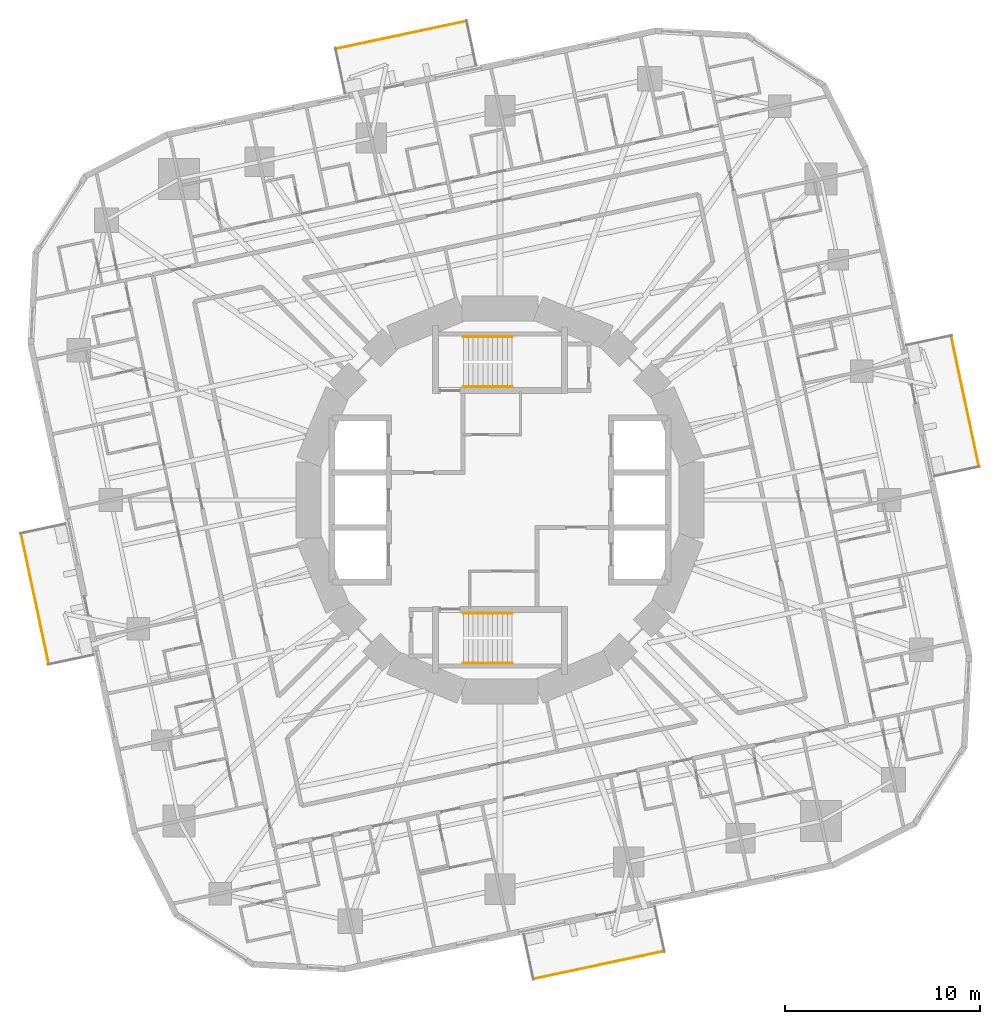
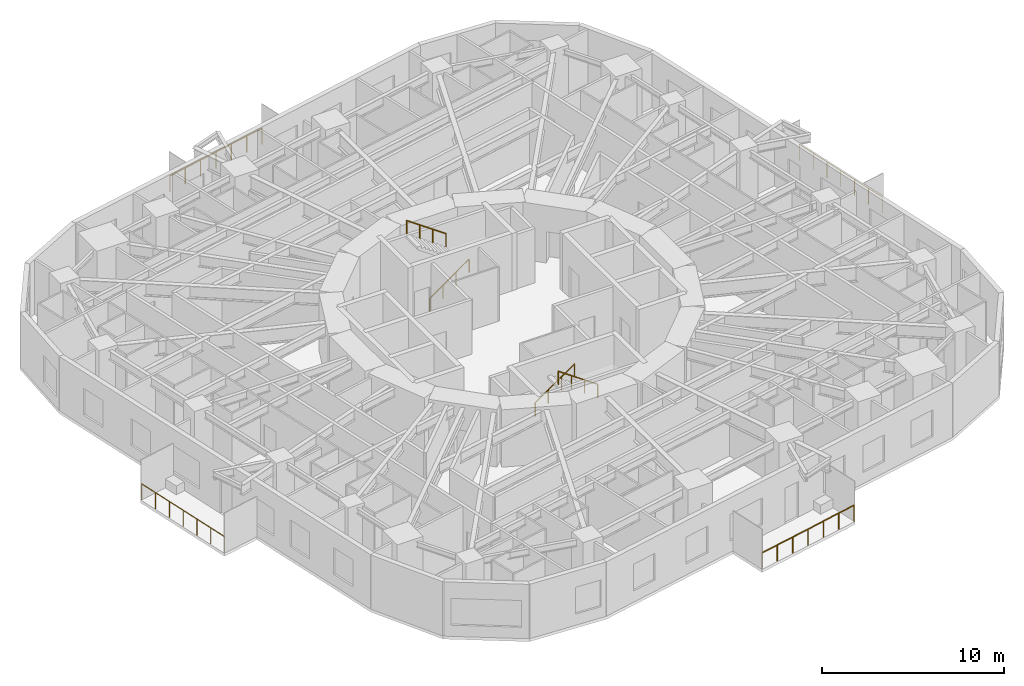
# One storey, part 13 of 14: 8 railings.
"""IFC4 building model written with IfcOpenShell, lengths in metres."""

from ifc_helpers import new_model, si_unit, direction, frame, origin, origin_2d, place, context, subcontext, project, spatial, circle, extrude, material, type_object, element, save


model = new_model("IFC4")

# Units and contexts
model_context = context("Model", 3, precision=1e-05, world=origin(), true_north=direction((0.0, 1.0)))
body_context = subcontext(model_context, "Body", "Model", "MODEL_VIEW")
ifc_project = project(units=[si_unit("LENGTHUNIT", "METRE"), si_unit("AREAUNIT", "SQUARE_METRE"), si_unit("VOLUMEUNIT", "CUBIC_METRE"), si_unit("PLANEANGLEUNIT", "RADIAN"), si_unit("MASSUNIT", "GRAM", prefix="KILO")], contexts=[model_context])

# Site, building, storey
site_placement = place(None, origin())
site = spatial("IfcSite", under=ifc_project, at=site_placement, CompositionType="ELEMENT")
building_placement = place(site_placement, origin())
building = spatial("IfcBuilding", under=site, at=building_placement, Name="Nakasero Lantern House", CompositionType="ELEMENT")
storey_placement = place(building_placement, frame((0.0, 0.0, 105.0)))
storey = spatial("IfcBuildingStorey", under=building, at=storey_placement, Name="L25", CompositionType="ELEMENT", Elevation=105.0)

# Railings
ifc_material_1 = material(Name="Aluminium 6063-T6", Category="aluminium")
railing_type_1 = type_object("IfcRailingType", Name="Balcony guard 1100", PredefinedType="BALUSTRADE", material=ifc_material_1)
railing_1_placement = place(storey_placement, frame((24.52685546875, 1.72705078125, 0.0)))
element("IfcRailing", 1, at=railing_1_placement, inside=storey, type_object=railing_type_1, Name="Balcony guard L25 BAL0", PredefinedType="BALUSTRADE", context=body_context, shape_type="SweptSolid", body=[
    extrude(circle(Radius=0.02392578125, at=origin_2d()), frame((0.0, 0.0, 1.076171875), z_axis=(-0.207907990246, 0.978148387307, 0.0), x_axis=(-0.978148387307, -0.207907990246, 0.0)), (0.0, 0.0, 1.0), 6.820068359375),
    extrude(circle(Radius=0.02099609375, at=origin_2d()), origin(), (0.0, 0.0, 1.0), 1.052001953125),
    extrude(circle(Radius=0.02099609375, at=origin_2d()), frame((-0.236328125, 1.11181640625, 0.0)), (0.0, 0.0, 1.0), 1.052001953125),
    extrude(circle(Radius=0.02099609375, at=origin_2d()), frame((-0.47265625, 2.2236328125, 0.0)), (0.0, 0.0, 1.0), 1.052001953125),
    extrude(circle(Radius=0.02099609375, at=origin_2d()), frame((-0.708984375, 3.33544921875, 0.0)), (0.0, 0.0, 1.0), 1.052001953125),
    extrude(circle(Radius=0.02099609375, at=origin_2d()), frame((-0.9453125, 4.447509765625, 0.0)), (0.0, 0.0, 1.0), 1.052001953125),
    extrude(circle(Radius=0.02099609375, at=origin_2d()), frame((-1.181640625, 5.559326171875, 0.0)), (0.0, 0.0, 1.0), 1.052001953125),
    extrude(circle(Radius=0.02099609375, at=origin_2d()), frame((-1.41796875, 6.671142578125, 0.0)), (0.0, 0.0, 1.0), 1.052001953125),
])
railing_2_placement = place(storey_placement, frame((-1.72705078125, 24.52685546875, 0.0)))
element("IfcRailing", 2, at=railing_2_placement, inside=storey, type_object=railing_type_1, Name="Balcony guard L25 BAL1", PredefinedType="BALUSTRADE", context=body_context, shape_type="SweptSolid", body=[
    extrude(circle(Radius=0.02392578125, at=origin_2d()), frame((0.0, 0.0, 1.076171875), z_axis=(-0.978148387307, -0.207907990246, 0.0), x_axis=(0.207907990246, -0.978148387307, 0.0)), (0.0, 0.0, 1.0), 6.820068359375),
    extrude(circle(Radius=0.02099609375, at=origin_2d()), origin(), (0.0, 0.0, 1.0), 1.052001953125),
    extrude(circle(Radius=0.02099609375, at=origin_2d()), frame((-1.11181640625, -0.236328125, 0.0)), (0.0, 0.0, 1.0), 1.052001953125),
    extrude(circle(Radius=0.02099609375, at=origin_2d()), frame((-2.2236328125, -0.47265625, 0.0)), (0.0, 0.0, 1.0), 1.052001953125),
    extrude(circle(Radius=0.02099609375, at=origin_2d()), frame((-3.33544921875, -0.708984375, 0.0)), (0.0, 0.0, 1.0), 1.052001953125),
    extrude(circle(Radius=0.02099609375, at=origin_2d()), frame((-4.447509765625, -0.9453125, 0.0)), (0.0, 0.0, 1.0), 1.052001953125),
    extrude(circle(Radius=0.02099609375, at=origin_2d()), frame((-5.559326171875, -1.181640625, 0.0)), (0.0, 0.0, 1.0), 1.052001953125),
    extrude(circle(Radius=0.02099609375, at=origin_2d()), frame((-6.671142578125, -1.41796875, 0.0)), (0.0, 0.0, 1.0), 1.052001953125),
])
railing_3_placement = place(storey_placement, frame((-24.52685546875, -1.72705078125, 0.0)))
element("IfcRailing", 3, at=railing_3_placement, inside=storey, type_object=railing_type_1, Name="Balcony guard L25 BAL2", PredefinedType="BALUSTRADE", context=body_context, shape_type="SweptSolid", body=[
    extrude(circle(Radius=0.02392578125, at=origin_2d()), frame((0.0, 0.0, 1.076171875), z_axis=(0.207907990246, -0.978148387307, 0.0), x_axis=(0.978148387307, 0.207907990246, 0.0)), (0.0, 0.0, 1.0), 6.820068359375),
    extrude(circle(Radius=0.02099609375, at=origin_2d()), origin(), (0.0, 0.0, 1.0), 1.052001953125),
    extrude(circle(Radius=0.02099609375, at=origin_2d()), frame((0.236328125, -1.11181640625, 0.0)), (0.0, 0.0, 1.0), 1.052001953125),
    extrude(circle(Radius=0.02099609375, at=origin_2d()), frame((0.47265625, -2.2236328125, 0.0)), (0.0, 0.0, 1.0), 1.052001953125),
    extrude(circle(Radius=0.02099609375, at=origin_2d()), frame((0.708984375, -3.33544921875, 0.0)), (0.0, 0.0, 1.0), 1.052001953125),
    extrude(circle(Radius=0.02099609375, at=origin_2d()), frame((0.9453125, -4.447509765625, 0.0)), (0.0, 0.0, 1.0), 1.052001953125),
    extrude(circle(Radius=0.02099609375, at=origin_2d()), frame((1.181640625, -5.559326171875, 0.0)), (0.0, 0.0, 1.0), 1.052001953125),
    extrude(circle(Radius=0.02099609375, at=origin_2d()), frame((1.41796875, -6.671142578125, 0.0)), (0.0, 0.0, 1.0), 1.052001953125),
])
railing_4_placement = place(storey_placement, frame((1.72705078125, -24.52685546875, 0.0)))
element("IfcRailing", 4, at=railing_4_placement, inside=storey, type_object=railing_type_1, Name="Balcony guard L25 BAL3", PredefinedType="BALUSTRADE", context=body_context, shape_type="SweptSolid", body=[
    extrude(circle(Radius=0.02392578125, at=origin_2d()), frame((0.0, 0.0, 1.076171875), z_axis=(0.978148387307, 0.207907990246, 0.0), x_axis=(-0.207907990246, 0.978148387307, 0.0)), (0.0, 0.0, 1.0), 6.820068359375),
    extrude(circle(Radius=0.02099609375, at=origin_2d()), origin(), (0.0, 0.0, 1.0), 1.052001953125),
    extrude(circle(Radius=0.02099609375, at=origin_2d()), frame((1.11181640625, 0.236328125, 0.0)), (0.0, 0.0, 1.0), 1.052001953125),
    extrude(circle(Radius=0.02099609375, at=origin_2d()), frame((2.2236328125, 0.47265625, 0.0)), (0.0, 0.0, 1.0), 1.052001953125),
    extrude(circle(Radius=0.02099609375, at=origin_2d()), frame((3.33544921875, 0.708984375, 0.0)), (0.0, 0.0, 1.0), 1.052001953125),
    extrude(circle(Radius=0.02099609375, at=origin_2d()), frame((4.447509765625, 0.9453125, 0.0)), (0.0, 0.0, 1.0), 1.052001953125),
    extrude(circle(Radius=0.02099609375, at=origin_2d()), frame((5.559326171875, 1.181640625, 0.0)), (0.0, 0.0, 1.0), 1.052001953125),
    extrude(circle(Radius=0.02099609375, at=origin_2d()), frame((6.671142578125, 1.41796875, 0.0)), (0.0, 0.0, 1.0), 1.052001953125),
])
ifc_material_2 = material(Name="Stainless steel 316", Category="steel")
railing_type_2 = type_object("IfcRailingType", Name="Stair handrail 900", PredefinedType="HANDRAIL", material=ifc_material_2)
railing_5_placement = place(storey_placement, frame((-1.875, 5.800048828125, 0.175048828125)))
element("IfcRailing", 5, at=railing_5_placement, inside=storey, type_object=railing_type_2, Name="Handrail ST1 L25 flight 1", PredefinedType="HANDRAIL", context=body_context, shape_type="SweptSolid", body=[
    extrude(circle(Radius=0.02392578125, at=origin_2d()), frame((0.0, 0.0, 0.8759765625), z_axis=(0.819231920519, 0.0, 0.573462344363), x_axis=(0.0, 1.0, 0.0)), (0.0, 0.0, 1.0), 3.0517578125),
    extrude(circle(Radius=0.02099609375, at=origin_2d()), origin(), (0.0, 0.0, 1.0), 0.851806640625),
    extrude(circle(Radius=0.02099609375, at=origin_2d()), frame((0.833251953125, 0.0, 0.583251953125)), (0.0, 0.0, 1.0), 0.851806640625),
    extrude(circle(Radius=0.02099609375, at=origin_2d()), frame((1.666748046875, 0.0, 1.166748046875)), (0.0, 0.0, 1.0), 0.851806640625),
    extrude(circle(Radius=0.02099609375, at=origin_2d()), frame((2.5, 0.0, 1.75)), (0.0, 0.0, 1.0), 0.851806640625),
])
railing_6_placement = place(storey_placement, frame((0.625, 8.35009765625, 2.10009765625)))
element("IfcRailing", 6, at=railing_6_placement, inside=storey, type_object=railing_type_2, Name="Handrail ST1 L25 flight 2", PredefinedType="HANDRAIL", context=body_context, shape_type="SweptSolid", body=[
    extrude(circle(Radius=0.02392578125, at=origin_2d()), frame((0.0, 0.0, 0.8759765625), z_axis=(-0.819231920519, 0.0, 0.573462344363), x_axis=(0.0, -1.0, 0.0)), (0.0, 0.0, 1.0), 3.0517578125),
    extrude(circle(Radius=0.02099609375, at=origin_2d()), origin(), (0.0, 0.0, 1.0), 0.851806640625),
    extrude(circle(Radius=0.02099609375, at=origin_2d()), frame((-0.833251953125, 0.0, 0.583251953125)), (0.0, 0.0, 1.0), 0.851806640625),
    extrude(circle(Radius=0.02099609375, at=origin_2d()), frame((-1.666748046875, 0.0, 1.166748046875)), (0.0, 0.0, 1.0), 0.851806640625),
    extrude(circle(Radius=0.02099609375, at=origin_2d()), frame((-2.5, 0.0, 1.75)), (0.0, 0.0, 1.0), 0.851806640625),
])
railing_7_placement = place(storey_placement, frame((-1.875, -5.800048828125, 0.175048828125)))
element("IfcRailing", 7, at=railing_7_placement, inside=storey, type_object=railing_type_2, Name="Handrail ST2 L25 flight 1", PredefinedType="HANDRAIL", context=body_context, shape_type="SweptSolid", body=[
    extrude(circle(Radius=0.02392578125, at=origin_2d()), frame((0.0, 0.0, 0.8759765625), z_axis=(0.819231920519, 0.0, 0.573462344363), x_axis=(0.0, 1.0, 0.0)), (0.0, 0.0, 1.0), 3.0517578125),
    extrude(circle(Radius=0.02099609375, at=origin_2d()), origin(), (0.0, 0.0, 1.0), 0.851806640625),
    extrude(circle(Radius=0.02099609375, at=origin_2d()), frame((0.833251953125, 0.0, 0.583251953125)), (0.0, 0.0, 1.0), 0.851806640625),
    extrude(circle(Radius=0.02099609375, at=origin_2d()), frame((1.666748046875, 0.0, 1.166748046875)), (0.0, 0.0, 1.0), 0.851806640625),
    extrude(circle(Radius=0.02099609375, at=origin_2d()), frame((2.5, 0.0, 1.75)), (0.0, 0.0, 1.0), 0.851806640625),
])
railing_8_placement = place(storey_placement, frame((0.625, -8.35009765625, 2.10009765625)))
element("IfcRailing", 8, at=railing_8_placement, inside=storey, type_object=railing_type_2, Name="Handrail ST2 L25 flight 2", PredefinedType="HANDRAIL", context=body_context, shape_type="SweptSolid", body=[
    extrude(circle(Radius=0.02392578125, at=origin_2d()), frame((0.0, 0.0, 0.8759765625), z_axis=(-0.819231920519, 0.0, 0.573462344363), x_axis=(0.0, -1.0, 0.0)), (0.0, 0.0, 1.0), 3.0517578125),
    extrude(circle(Radius=0.02099609375, at=origin_2d()), origin(), (0.0, 0.0, 1.0), 0.851806640625),
    extrude(circle(Radius=0.02099609375, at=origin_2d()), frame((-0.833251953125, 0.0, 0.583251953125)), (0.0, 0.0, 1.0), 0.851806640625),
    extrude(circle(Radius=0.02099609375, at=origin_2d()), frame((-1.666748046875, 0.0, 1.166748046875)), (0.0, 0.0, 1.0), 0.851806640625),
    extrude(circle(Radius=0.02099609375, at=origin_2d()), frame((-2.5, 0.0, 1.75)), (0.0, 0.0, 1.0), 0.851806640625),
])

save(model, "model.ifc")
